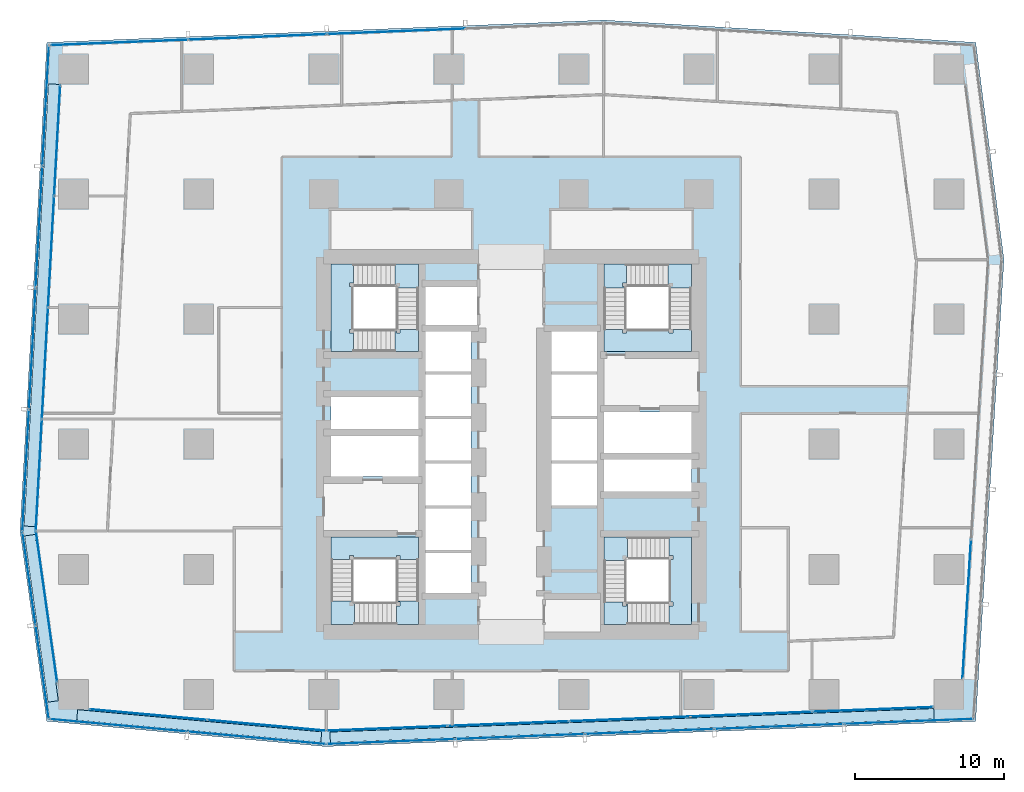
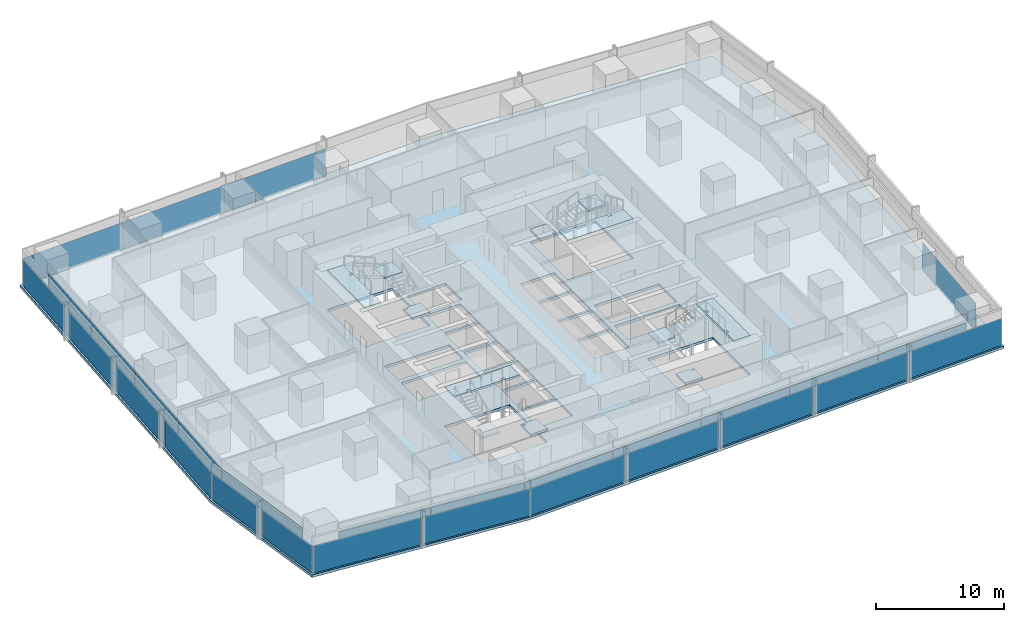
# One storey, part 27 of 39: 33 plates, 13 slabs, 14 elements without a shape of their own.
"""IFC4 building model written with IfcOpenShell, lengths in metres."""

from ifc_helpers import new_model, si_unit, direction, frame, origin, origin_2d, place, context, subcontext, project, spatial, polyline, rectangle, outline, extrude, material, layer, layer_set, type_object, element, aggregate, save


model = new_model("IFC4")

# Units and contexts
model_context = context("Model", 3, precision=1e-05, world=origin(), true_north=direction((0.0, 1.0)))
body_context = subcontext(model_context, "Body", "Model", "MODEL_VIEW")
ifc_project = project(units=[si_unit("LENGTHUNIT", "METRE"), si_unit("AREAUNIT", "SQUARE_METRE"), si_unit("VOLUMEUNIT", "CUBIC_METRE"), si_unit("PLANEANGLEUNIT", "RADIAN"), si_unit("MASSUNIT", "GRAM", prefix="KILO")], contexts=[model_context])

# Site, building, storey
site_placement = place(None, origin())
site = spatial("IfcSite", under=ifc_project, at=site_placement, CompositionType="ELEMENT")
building_placement = place(site_placement, origin())
building = spatial("IfcBuilding", under=site, at=building_placement, Name="Rekha Terrace Tower", CompositionType="ELEMENT")
storey_placement = place(building_placement, frame((0.0, 0.0, 151.550048828125)))
storey = spatial("IfcBuildingStorey", under=building, at=storey_placement, Name="L38", CompositionType="ELEMENT", Elevation=151.550048828125)

# Curtain wall, plates
ifc_material_1 = material(Name="Aluminium framing", Category="aluminium")
curtain_wall_type_1 = type_object("IfcCurtainWallType", Name="CW1 double skin inner glazing", PredefinedType="USERDEFINED", material=ifc_material_1)
curtain_wall_1_placement = place(storey_placement, origin())
curtain_wall_1 = element("IfcCurtainWall", 1, at=curtain_wall_1_placement, inside=storey, type_object=curtain_wall_type_1, Name="CW1 double skin inner glazing", ObjectType="DOUBLE SKIN INNER GLAZING", PredefinedType="USERDEFINED")
ifc_material_2 = material(Name="Double-glazed low-e unit 32", Category="glass")
ifc_layer_1 = layer(ifc_material_2, 0.031982421875)
ifc_layer_set_1 = layer_set([ifc_layer_1], Name="Double-glazed low-e unit 32")
plate_type_1 = type_object("IfcPlateType", Name="CW1 jumbo vision panel, double-glazed low-e unit 32", PredefinedType="CURTAIN_PANEL", material=ifc_layer_set_1)
plate_1_placement = place(storey_placement, frame((13.418701171875, 15.445068359375, 0.0), z_axis=(0.0, 0.0, 1.0), x_axis=(0.995901923142, -0.090439811381, 0.0)))
plate_1 = element("IfcPlate", 2, at=plate_1_placement, type_object=plate_type_1, Name="CW1 panel 1.1", PredefinedType="CURTAIN_PANEL", context=body_context, shape_type="SweptSolid", body=[
    extrude(rectangle(XDim=7.898681640625, YDim=0.031982421875, at=origin_2d()), origin(), (0.0, 0.0, 1.0), 2.60009765625),
])
plate_2_placement = place(storey_placement, frame((21.382080078125, 14.721923828125, 0.0), z_axis=(0.0, 0.0, 1.0), x_axis=(0.995901923142, -0.090439811381, 0.0)))
plate_2 = element("IfcPlate", 3, at=plate_2_placement, type_object=plate_type_1, Name="CW1 panel 2.1", PredefinedType="CURTAIN_PANEL", context=body_context, shape_type="SweptSolid", body=[
    extrude(rectangle(XDim=7.963623046875, YDim=0.031982421875, at=origin_2d()), origin(), (0.0, 0.0, 1.0), 2.60009765625),
])
aggregate(curtain_wall_1, [plate_1, plate_2])

curtain_wall_2_placement = place(storey_placement, origin())
curtain_wall_2 = element("IfcCurtainWall", 4, at=curtain_wall_2_placement, inside=storey, type_object=curtain_wall_type_1, Name="CW1 double skin inner glazing", ObjectType="DOUBLE SKIN INNER GLAZING", PredefinedType="USERDEFINED")
plate_3_placement = place(storey_placement, frame((29.446533203125, 14.521484375, 0.0), z_axis=(0.0, 0.0, 1.0), x_axis=(0.999243498918, 0.038889971328, 0.0)))
plate_3 = element("IfcPlate", 5, at=plate_3_placement, type_object=plate_type_1, Name="CW1 panel 1.1", PredefinedType="CURTAIN_PANEL", context=body_context, shape_type="SweptSolid", body=[
    extrude(rectangle(XDim=8.074462890625, YDim=0.031982421875, at=origin_2d()), origin(), (0.0, 0.0, 1.0), 2.60009765625),
])
plate_4_placement = place(storey_placement, frame((37.59619140625, 14.838623046875, 0.0), z_axis=(0.0, 0.0, 1.0), x_axis=(0.999243498918, 0.038889971328, 0.0)))
plate_4 = element("IfcPlate", 6, at=plate_4_placement, type_object=plate_type_1, Name="CW1 panel 2.1", PredefinedType="CURTAIN_PANEL", context=body_context, shape_type="SweptSolid", body=[
    extrude(rectangle(XDim=8.10693359375, YDim=0.031982421875, at=origin_2d()), origin(), (0.0, 0.0, 1.0), 2.60009765625),
])
plate_5_placement = place(storey_placement, frame((45.761962890625, 15.156494140625, 0.0), z_axis=(0.0, 0.0, 1.0), x_axis=(0.999243498918, 0.038889971328, 0.0)))
plate_5 = element("IfcPlate", 7, at=plate_5_placement, type_object=plate_type_1, Name="CW1 panel 3.1", PredefinedType="CURTAIN_PANEL", context=body_context, shape_type="SweptSolid", body=[
    extrude(rectangle(XDim=8.10693359375, YDim=0.031982421875, at=origin_2d()), origin(), (0.0, 0.0, 1.0), 2.60009765625),
])
plate_6_placement = place(storey_placement, frame((53.927734375, 15.47412109375, 0.0), z_axis=(0.0, 0.0, 1.0), x_axis=(0.999243498918, 0.038889971328, 0.0)))
plate_6 = element("IfcPlate", 8, at=plate_6_placement, type_object=plate_type_1, Name="CW1 panel 4.1", PredefinedType="CURTAIN_PANEL", context=body_context, shape_type="SweptSolid", body=[
    extrude(rectangle(XDim=8.10693359375, YDim=0.031982421875, at=origin_2d()), origin(), (0.0, 0.0, 1.0), 2.60009765625),
])
plate_7_placement = place(storey_placement, frame((62.0771484375, 15.791259765625, 0.0), z_axis=(0.0, 0.0, 1.0), x_axis=(0.999243498918, 0.038889971328, 0.0)))
plate_7 = element("IfcPlate", 9, at=plate_7_placement, type_object=plate_type_1, Name="CW1 panel 5.1", PredefinedType="CURTAIN_PANEL", context=body_context, shape_type="SweptSolid", body=[
    extrude(rectangle(XDim=8.074462890625, YDim=0.031982421875, at=origin_2d()), origin(), (0.0, 0.0, 1.0), 2.60009765625),
])
aggregate(curtain_wall_2, [plate_3, plate_4, plate_5, plate_6, plate_7])

# Curtain wall, plate
curtain_wall_3_placement = place(storey_placement, origin())
curtain_wall_3 = element("IfcCurtainWall", 10, at=curtain_wall_3_placement, inside=storey, type_object=curtain_wall_type_1, Name="CW1 double skin inner glazing", ObjectType="DOUBLE SKIN INNER GLAZING", PredefinedType="USERDEFINED")
plate_8_placement = place(storey_placement, frame((68.399658203125, 22.53271484375, 0.0), z_axis=(0.0, 0.0, 1.0), x_axis=(0.061159803131, 0.998127987024, 0.0)))
plate_8 = element("IfcPlate", 11, at=plate_8_placement, type_object=plate_type_1, Name="CW1 panel 1.1", PredefinedType="CURTAIN_PANEL", context=body_context, shape_type="SweptSolid", body=[
    extrude(rectangle(XDim=9.30224609375, YDim=0.031982421875, at=origin_2d()), origin(), (0.0, 0.0, 1.0), 2.60009765625),
])
aggregate(curtain_wall_3, [plate_8])

# Curtain wall, plates
curtain_wall_4_placement = place(storey_placement, origin())
curtain_wall_4 = element("IfcCurtainWall", 12, at=curtain_wall_4_placement, inside=storey, type_object=curtain_wall_type_1, Name="CW1 double skin inner glazing", ObjectType="DOUBLE SKIN INNER GLAZING", PredefinedType="USERDEFINED")
plate_9_placement = place(storey_placement, frame((7.300537109375, 54.013427734375, 0.0), z_axis=(0.0, 0.0, 1.0), x_axis=(-0.054742352707, -0.99850051318, 0.0)))
plate_9 = element("IfcPlate", 13, at=plate_9_placement, type_object=plate_type_1, Name="CW1 panel 1.1", PredefinedType="CURTAIN_PANEL", context=body_context, shape_type="SweptSolid", body=[
    extrude(rectangle(XDim=7.404052734375, YDim=0.031982421875, at=origin_2d()), origin(), (0.0, 0.0, 1.0), 2.60009765625),
])
plate_10_placement = place(storey_placement, frame((6.890625, 46.539306640625, 0.0), z_axis=(0.0, 0.0, 1.0), x_axis=(-0.054742352707, -0.99850051318, 0.0)))
plate_10 = element("IfcPlate", 14, at=plate_10_placement, type_object=plate_type_1, Name="CW1 panel 2.1", PredefinedType="CURTAIN_PANEL", context=body_context, shape_type="SweptSolid", body=[
    extrude(rectangle(XDim=7.4365234375, YDim=0.031982421875, at=origin_2d()), origin(), (0.0, 0.0, 1.0), 2.60009765625),
])
plate_11_placement = place(storey_placement, frame((6.47998046875, 39.048828125, 0.0), z_axis=(0.0, 0.0, 1.0), x_axis=(-0.054742352707, -0.99850051318, 0.0)))
plate_11 = element("IfcPlate", 15, at=plate_11_placement, type_object=plate_type_1, Name="CW1 panel 3.1", PredefinedType="CURTAIN_PANEL", context=body_context, shape_type="SweptSolid", body=[
    extrude(rectangle(XDim=7.4365234375, YDim=0.031982421875, at=origin_2d()), origin(), (0.0, 0.0, 1.0), 2.60009765625),
])
plate_12_placement = place(storey_placement, frame((6.068603515625, 31.542236328125, 0.0), z_axis=(0.0, 0.0, 1.0), x_axis=(-0.054742352707, -0.99850051318, 0.0)))
plate_12 = element("IfcPlate", 16, at=plate_12_placement, type_object=plate_type_1, Name="CW1 panel 4.1", PredefinedType="CURTAIN_PANEL", context=body_context, shape_type="SweptSolid", body=[
    extrude(rectangle(XDim=7.468994140625, YDim=0.031982421875, at=origin_2d()), origin(), (0.0, 0.0, 1.0), 2.60009765625),
])
aggregate(curtain_wall_4, [plate_9, plate_10, plate_11, plate_12])

# Curtain wall, plate
curtain_wall_5_placement = place(storey_placement, origin())
curtain_wall_5 = element("IfcCurtainWall", 17, at=curtain_wall_5_placement, inside=storey, type_object=curtain_wall_type_1, Name="CW1 double skin inner glazing", ObjectType="DOUBLE SKIN INNER GLAZING", PredefinedType="USERDEFINED")
plate_13_placement = place(storey_placement, frame((6.58349609375, 22.70947265625, 0.0), z_axis=(0.0, 0.0, 1.0), x_axis=(0.139597048082, -0.990208394312, 0.0)))
plate_13 = element("IfcPlate", 18, at=plate_13_placement, type_object=plate_type_1, Name="CW1 panel 1.1", PredefinedType="CURTAIN_PANEL", context=body_context, shape_type="SweptSolid", body=[
    extrude(rectangle(XDim=10.1787109375, YDim=0.031982421875, at=origin_2d()), origin(), (0.0, 0.0, 1.0), 2.60009765625),
])
aggregate(curtain_wall_5, [plate_13])

# Curtain wall, plates
curtain_wall_type_2 = type_object("IfcCurtainWallType", Name="CW2 double skin outer glazing", PredefinedType="USERDEFINED", material=ifc_material_1)
curtain_wall_6_placement = place(storey_placement, origin())
curtain_wall_6 = element("IfcCurtainWall", 19, at=curtain_wall_6_placement, inside=storey, type_object=curtain_wall_type_2, Name="CW2 double skin outer glazing", ObjectType="DOUBLE SKIN OUTER GLAZING", PredefinedType="USERDEFINED")
ifc_material_3 = material(Name="Toughened single glazing 12", Category="glass")
ifc_layer_2 = layer(ifc_material_3, 0.011962890625)
ifc_layer_set_2 = layer_set([ifc_layer_2], Name="Toughened single glazing 12")
plate_type_2 = type_object("IfcPlateType", Name="CW2 jumbo vision panel, toughened single glazing 12", PredefinedType="CURTAIN_PANEL", material=ifc_layer_set_2)
plate_14_placement = place(storey_placement, frame((11.406494140625, 14.72412109375, 0.0), z_axis=(0.0, 0.0, 1.0), x_axis=(0.995901923137, -0.090439811433, 0.0)))
plate_14 = element("IfcPlate", 20, at=plate_14_placement, type_object=plate_type_2, Name="CW2 panel 1.1", PredefinedType="CURTAIN_PANEL", context=body_context, shape_type="SweptSolid", body=[
    extrude(rectangle(XDim=9.2099609375, YDim=0.011962890625, at=origin_2d()), origin(), (0.0, 0.0, 1.0), 2.60009765625),
])
plate_15_placement = place(storey_placement, frame((20.6982421875, 13.88037109375, 0.0), z_axis=(0.0, 0.0, 1.0), x_axis=(0.995901923137, -0.090439811433, 0.0)))
plate_15 = element("IfcPlate", 21, at=plate_15_placement, type_object=plate_type_2, Name="CW2 panel 2.1", PredefinedType="CURTAIN_PANEL", context=body_context, shape_type="SweptSolid", body=[
    extrude(rectangle(XDim=9.2900390625, YDim=0.011962890625, at=origin_2d()), origin(), (0.0, 0.0, 1.0), 2.60009765625),
])
aggregate(curtain_wall_6, [plate_14, plate_15])

curtain_wall_7_placement = place(storey_placement, origin())
curtain_wall_7 = element("IfcCurtainWall", 22, at=curtain_wall_7_placement, inside=storey, type_object=curtain_wall_type_2, Name="CW2 double skin outer glazing", ObjectType="DOUBLE SKIN OUTER GLAZING", PredefinedType="USERDEFINED")
plate_16_placement = place(storey_placement, frame((29.696533203125, 13.63037109375, 0.0), z_axis=(0.0, 0.0, 1.0), x_axis=(0.999243498917, 0.038889971345, 0.0)))
plate_16 = element("IfcPlate", 23, at=plate_16_placement, type_object=plate_type_2, Name="CW2 panel 1.1", PredefinedType="CURTAIN_PANEL", context=body_context, shape_type="SweptSolid", body=[
    extrude(rectangle(XDim=8.591552734375, YDim=0.011962890625, at=origin_2d()), origin(), (0.0, 0.0, 1.0), 2.60009765625),
])
plate_17_placement = place(storey_placement, frame((38.381591796875, 13.968505859375, 0.0), z_axis=(0.0, 0.0, 1.0), x_axis=(0.999243498917, 0.038889971345, 0.0)))
plate_17 = element("IfcPlate", 24, at=plate_17_placement, type_object=plate_type_2, Name="CW2 panel 2.1", PredefinedType="CURTAIN_PANEL", context=body_context, shape_type="SweptSolid", body=[
    extrude(rectangle(XDim=8.631591796875, YDim=0.011962890625, at=origin_2d()), origin(), (0.0, 0.0, 1.0), 2.60009765625),
])
plate_18_placement = place(storey_placement, frame((47.086669921875, 14.307373046875, 0.0), z_axis=(0.0, 0.0, 1.0), x_axis=(0.999243498917, 0.038889971345, 0.0)))
plate_18 = element("IfcPlate", 25, at=plate_18_placement, type_object=plate_type_2, Name="CW2 panel 3.1", PredefinedType="CURTAIN_PANEL", context=body_context, shape_type="SweptSolid", body=[
    extrude(rectangle(XDim=8.631591796875, YDim=0.011962890625, at=origin_2d()), origin(), (0.0, 0.0, 1.0), 2.60009765625),
])
plate_19_placement = place(storey_placement, frame((55.791748046875, 14.64599609375, 0.0), z_axis=(0.0, 0.0, 1.0), x_axis=(0.999243498917, 0.038889971345, 0.0)))
plate_19 = element("IfcPlate", 26, at=plate_19_placement, type_object=plate_type_2, Name="CW2 panel 4.1", PredefinedType="CURTAIN_PANEL", context=body_context, shape_type="SweptSolid", body=[
    extrude(rectangle(XDim=8.631591796875, YDim=0.011962890625, at=origin_2d()), origin(), (0.0, 0.0, 1.0), 2.60009765625),
])
plate_20_placement = place(storey_placement, frame((64.5166015625, 14.985595703125, 0.0), z_axis=(0.0, 0.0, 1.0), x_axis=(0.999243498917, 0.038889971345, 0.0)))
plate_20 = element("IfcPlate", 27, at=plate_20_placement, type_object=plate_type_2, Name="CW2 panel 5.1", PredefinedType="CURTAIN_PANEL", context=body_context, shape_type="SweptSolid", body=[
    extrude(rectangle(XDim=8.671630859375, YDim=0.011962890625, at=origin_2d()), origin(), (0.0, 0.0, 1.0), 2.60009765625),
])
aggregate(curtain_wall_7, [plate_16, plate_17, plate_18, plate_19, plate_20])

curtain_wall_8_placement = place(storey_placement, origin())
curtain_wall_8 = element("IfcCurtainWall", 28, at=curtain_wall_8_placement, inside=storey, type_object=curtain_wall_type_2, Name="CW2 double skin outer glazing", ObjectType="DOUBLE SKIN OUTER GLAZING", PredefinedType="USERDEFINED")
plate_21_placement = place(storey_placement, frame((6.52685546875, 56.342041015625, 0.0), z_axis=(0.0, 0.0, 1.0), x_axis=(-0.054742352707, -0.99850051318, 0.0)))
plate_21 = element("IfcPlate", 29, at=plate_21_placement, type_object=plate_type_2, Name="CW2 panel 1.1", PredefinedType="CURTAIN_PANEL", context=body_context, shape_type="SweptSolid", body=[
    extrude(rectangle(XDim=8.06005859375, YDim=0.011962890625, at=origin_2d()), origin(), (0.0, 0.0, 1.0), 2.60009765625),
])
plate_22_placement = place(storey_placement, frame((6.080078125, 48.1943359375, 0.0), z_axis=(0.0, 0.0, 1.0), x_axis=(-0.054742352707, -0.99850051318, 0.0)))
plate_22 = element("IfcPlate", 30, at=plate_22_placement, type_object=plate_type_2, Name="CW2 panel 2.1", PredefinedType="CURTAIN_PANEL", context=body_context, shape_type="SweptSolid", body=[
    extrude(rectangle(XDim=8.10009765625, YDim=0.011962890625, at=origin_2d()), origin(), (0.0, 0.0, 1.0), 2.60009765625),
])
plate_23_placement = place(storey_placement, frame((5.63232421875, 40.026611328125, 0.0), z_axis=(0.0, 0.0, 1.0), x_axis=(-0.054742352707, -0.99850051318, 0.0)))
plate_23 = element("IfcPlate", 31, at=plate_23_placement, type_object=plate_type_2, Name="CW2 panel 3.1", PredefinedType="CURTAIN_PANEL", context=body_context, shape_type="SweptSolid", body=[
    extrude(rectangle(XDim=8.10009765625, YDim=0.011962890625, at=origin_2d()), origin(), (0.0, 0.0, 1.0), 2.60009765625),
])
plate_24_placement = place(storey_placement, frame((5.183349609375, 31.8388671875, 0.0), z_axis=(0.0, 0.0, 1.0), x_axis=(-0.054742352707, -0.99850051318, 0.0)))
plate_24 = element("IfcPlate", 32, at=plate_24_placement, type_object=plate_type_2, Name="CW2 panel 4.1", PredefinedType="CURTAIN_PANEL", context=body_context, shape_type="SweptSolid", body=[
    extrude(rectangle(XDim=8.14013671875, YDim=0.011962890625, at=origin_2d()), origin(), (0.0, 0.0, 1.0), 2.60009765625),
])
aggregate(curtain_wall_8, [plate_21, plate_22, plate_23, plate_24])

curtain_wall_9_placement = place(storey_placement, origin())
curtain_wall_9 = element("IfcCurtainWall", 33, at=curtain_wall_9_placement, inside=storey, type_object=curtain_wall_type_2, Name="CW2 double skin outer glazing", ObjectType="DOUBLE SKIN OUTER GLAZING", PredefinedType="USERDEFINED")
plate_25_placement = place(storey_placement, frame((5.408447265625, 24.598388671875, 0.0), z_axis=(0.0, 0.0, 1.0), x_axis=(0.139597048082, -0.990208394312, 0.0)))
plate_25 = element("IfcPlate", 34, at=plate_25_placement, type_object=plate_type_2, Name="CW2 panel 1.1", PredefinedType="CURTAIN_PANEL", context=body_context, shape_type="SweptSolid", body=[
    extrude(rectangle(XDim=6.255859375, YDim=0.011962890625, at=origin_2d()), origin(), (0.0, 0.0, 1.0), 2.60009765625),
])
plate_26_placement = place(storey_placement, frame((6.298583984375, 18.284912109375, 0.0), z_axis=(0.0, 0.0, 1.0), x_axis=(0.139597048082, -0.990208394312, 0.0)))
plate_26 = element("IfcPlate", 35, at=plate_26_placement, type_object=plate_type_2, Name="CW2 panel 2.1", PredefinedType="CURTAIN_PANEL", context=body_context, shape_type="SweptSolid", body=[
    extrude(rectangle(XDim=6.3359375, YDim=0.011962890625, at=origin_2d()), origin(), (0.0, 0.0, 1.0), 2.60009765625),
])
aggregate(curtain_wall_9, [plate_25, plate_26])

curtain_wall_type_3 = type_object("IfcCurtainWallType", Name="CW3 north unitised glazing", PredefinedType="USERDEFINED", material=ifc_material_1)
curtain_wall_10_placement = place(storey_placement, origin())
curtain_wall_10 = element("IfcCurtainWall", 36, at=curtain_wall_10_placement, inside=storey, type_object=curtain_wall_type_3, Name="CW3 unitised curtain wall", ObjectType="UNITISED CURTAIN WALL", PredefinedType="USERDEFINED")
ifc_material_4 = material(Name="Double-glazed unit 28", Category="glass")
ifc_layer_3 = layer(ifc_material_4, 0.028076171875)
ifc_layer_set_3 = layer_set([ifc_layer_3], Name="Double-glazed unit 28")
plate_type_3 = type_object("IfcPlateType", Name="CW3 jumbo vision panel, double-glazed unit 28", PredefinedType="CURTAIN_PANEL", material=ifc_layer_set_3)
plate_27_placement = place(storey_placement, frame((30.06982421875, 61.340087890625, 0.0), z_axis=(0.0, 0.0, 1.0), x_axis=(-0.999198398721, -0.040031987119, 0.0)))
plate_27 = element("IfcPlate", 37, at=plate_27_placement, type_object=plate_type_3, Name="CW3 panel 2.1", PredefinedType="CURTAIN_PANEL", context=body_context, shape_type="SweptSolid", body=[
    extrude(rectangle(XDim=9.24951171875, YDim=0.028076171875, at=origin_2d()), origin(), (0.0, 0.0, 1.0), 2.60009765625),
])
plate_28_placement = place(storey_placement, frame((20.7578125, 60.967041015625, 0.0), z_axis=(0.0, 0.0, 1.0), x_axis=(-0.999198398721, -0.040031987119, 0.0)))
plate_28 = element("IfcPlate", 38, at=plate_28_placement, type_object=plate_type_3, Name="CW3 panel 3.1", PredefinedType="CURTAIN_PANEL", context=body_context, shape_type="SweptSolid", body=[
    extrude(rectangle(XDim=9.24951171875, YDim=0.028076171875, at=origin_2d()), origin(), (0.0, 0.0, 1.0), 2.60009765625),
])
plate_29_placement = place(storey_placement, frame((11.46337890625, 60.5947265625, 0.0), z_axis=(0.0, 0.0, 1.0), x_axis=(-0.999198398721, -0.040031987119, 0.0)))
plate_29 = element("IfcPlate", 39, at=plate_29_placement, type_object=plate_type_3, Name="CW3 panel 4.1", PredefinedType="CURTAIN_PANEL", context=body_context, shape_type="SweptSolid", body=[
    extrude(rectangle(XDim=9.214599609375, YDim=0.028076171875, at=origin_2d()), origin(), (0.0, 0.0, 1.0), 2.60009765625),
])
aggregate(curtain_wall_10, [plate_27, plate_28, plate_29])

# Plates
ifc_material_5 = material(Name="Galvanised steel open grating", Category="steel")
ifc_layer_4 = layer(ifc_material_5, 0.050048828125)
ifc_layer_set_4 = layer_set([ifc_layer_4], Name="Galvanised steel open grating")
plate_type_4 = type_object("IfcPlateType", Name="GT1 cavity walkway grating 50", PredefinedType="USERDEFINED", material=ifc_layer_set_4)
plate_30_placement = place(storey_placement, frame((16.838623046875, 14.6826171875, 0.0), z_axis=(0.0, 0.0, 1.0), x_axis=(0.99590192314, -0.090439811399, 0.0)))
element("IfcPlate", 40, at=plate_30_placement, inside=storey, type_object=plate_type_4, Name="Cavity walkway grating", ObjectType="CAVITY WALKWAY GRATING", PredefinedType="USERDEFINED", context=body_context, shape_type="SweptSolid", body=[
    extrude(rectangle(XDim=16.464111328125, YDim=0.705078125, at=origin_2d()), origin(), (0.0, 0.0, 1.0), 0.050048828125),
])
plate_31_placement = place(storey_placement, frame((45.91357421875, 14.7119140625, 0.0), z_axis=(0.0, 0.0, 1.0), x_axis=(0.999243498917, 0.038889971345, 0.0)))
element("IfcPlate", 41, at=plate_31_placement, inside=storey, type_object=plate_type_4, Name="Cavity walkway grating", ObjectType="CAVITY WALKWAY GRATING", PredefinedType="USERDEFINED", context=body_context, shape_type="SweptSolid", body=[
    extrude(rectangle(XDim=40.586669921875, YDim=0.705078125, at=origin_2d()), origin(), (0.0, 0.0, 1.0), 0.050048828125),
])
plate_32_placement = place(storey_placement, frame((6.2431640625, 42.9462890625, 0.0), z_axis=(0.0, 0.0, 1.0), x_axis=(-0.05474235269, -0.998500513181, 0.0)))
element("IfcPlate", 42, at=plate_32_placement, inside=storey, type_object=plate_type_4, Name="Cavity walkway grating", ObjectType="CAVITY WALKWAY GRATING", PredefinedType="USERDEFINED", context=body_context, shape_type="SweptSolid", body=[
    extrude(rectangle(XDim=29.749755859375, YDim=0.705078125, at=origin_2d()), origin(), (0.0, 0.0, 1.0), 0.050048828125),
])
plate_33_placement = place(storey_placement, frame((6.2412109375, 21.9140625, 0.0), z_axis=(0.0, 0.0, 1.0), x_axis=(0.139597048064, -0.990208394315, 0.0)))
element("IfcPlate", 43, at=plate_33_placement, inside=storey, type_object=plate_type_4, Name="Cavity walkway grating", ObjectType="CAVITY WALKWAY GRATING", PredefinedType="USERDEFINED", context=body_context, shape_type="SweptSolid", body=[
    extrude(rectangle(XDim=11.276123046875, YDim=0.705078125, at=origin_2d()), origin(), (0.0, 0.0, 1.0), 0.050048828125),
])

# Stair, slabs
ifc_material_6 = material(Name="Concrete M40", Category="concrete")
stair_type = type_object("IfcStairType", Name="ST30 stair, 30 risers of 125, going 310, 1500 wide flights, 3 flights", PredefinedType="HALF_TURN_STAIR", material=ifc_material_6)
stair_1_placement = place(storey_placement, origin())
stair_1 = element("IfcStair", 44, at=stair_1_placement, inside=storey, type_object=stair_type, Name="Stair ST1 L38 to L39", PredefinedType="HALF_TURN_STAIR")
ifc_layer_5 = layer(ifc_material_6, 0.199951171875)
ifc_layer_set_5 = layer_set([ifc_layer_5], Name="Concrete M40")
slab_type_1 = type_object("IfcSlabType", Name="LD1 200 concrete stair landing", PredefinedType="LANDING", material=ifc_layer_set_5)
slab_1_placement = place(storey_placement, frame((0.0, 0.0, 1.050048828125)))
slab_1 = element("IfcSlab", 45, at=slab_1_placement, type_object=slab_type_1, Name="ST1 landing 1", PredefinedType="LANDING", context=body_context, shape_type="SweptSolid", body=[
    extrude(outline(polyline([(30.074951171875, 21.5), (31.574951171875, 21.5), (31.574951171875, 23.0849609375), (30.074951171875, 23.0849609375), (30.074951171875, 23.0), (30.324951171875, 23.0), (30.324951171875, 22.75), (30.074951171875, 22.75), (30.074951171875, 21.5)])), origin(), (0.0, 0.0, 1.0), 0.199951171875),
])
slab_2_placement = place(storey_placement, frame((0.0, 0.0, 2.300048828125)))
slab_2 = element("IfcSlab", 46, at=slab_2_placement, type_object=slab_type_1, Name="ST1 landing 2", PredefinedType="LANDING", context=body_context, shape_type="SweptSolid", body=[
    extrude(outline(polyline([(27.199951171875, 23.0849609375), (25.699951171875, 23.0849609375), (25.699951171875, 21.5), (27.284912109375, 21.5), (27.284912109375, 23.0), (27.199951171875, 23.0), (27.199951171875, 23.0849609375)])), origin(), (0.0, 0.0, 1.0), 0.199951171875),
])
slab_3_placement = place(storey_placement, frame((0.0, 0.0, 3.550048828125)))
slab_3 = element("IfcSlab", 47, at=slab_3_placement, type_object=slab_type_1, Name="ST1 landing 3", PredefinedType="LANDING", context=body_context, shape_type="SweptSolid", body=[
    extrude(outline(polyline([(31.574951171875, 25.875), (31.574951171875, 27.375), (25.699951171875, 27.375), (25.699951171875, 25.875), (26.949951171875, 25.875), (26.949951171875, 26.125), (27.199951171875, 26.125), (27.199951171875, 25.875), (30.074951171875, 25.875), (30.074951171875, 26.125), (30.324951171875, 26.125), (30.324951171875, 25.875), (31.574951171875, 25.875)])), origin(), (0.0, 0.0, 1.0), 0.199951171875),
])
aggregate(stair_1, [slab_1, slab_2, slab_3])

stair_2_placement = place(storey_placement, origin())
stair_2 = element("IfcStair", 48, at=stair_2_placement, inside=storey, type_object=stair_type, Name="Stair ST2 L38 to L39", PredefinedType="HALF_TURN_STAIR")
slab_4_placement = place(storey_placement, frame((0.0, 0.0, 1.050048828125)))
slab_4 = element("IfcSlab", 49, at=slab_4_placement, type_object=slab_type_1, Name="ST2 landing 1", PredefinedType="LANDING", context=body_context, shape_type="SweptSolid", body=[
    extrude(outline(polyline([(45.52490234375, 45.699951171875), (44.02490234375, 45.699951171875), (44.02490234375, 44.114990234375), (45.52490234375, 44.114990234375), (45.52490234375, 44.199951171875), (45.27490234375, 44.199951171875), (45.27490234375, 44.449951171875), (45.52490234375, 44.449951171875), (45.52490234375, 45.699951171875)])), origin(), (0.0, 0.0, 1.0), 0.199951171875),
])
slab_5_placement = place(storey_placement, frame((0.0, 0.0, 2.300048828125)))
slab_5 = element("IfcSlab", 50, at=slab_5_placement, type_object=slab_type_1, Name="ST2 landing 2", PredefinedType="LANDING", context=body_context, shape_type="SweptSolid", body=[
    extrude(outline(polyline([(48.39990234375, 44.114990234375), (49.89990234375, 44.114990234375), (49.89990234375, 45.699951171875), (48.31494140625, 45.699951171875), (48.31494140625, 44.199951171875), (48.39990234375, 44.199951171875), (48.39990234375, 44.114990234375)])), origin(), (0.0, 0.0, 1.0), 0.199951171875),
])
slab_6_placement = place(storey_placement, frame((0.0, 0.0, 3.550048828125)))
slab_6 = element("IfcSlab", 51, at=slab_6_placement, type_object=slab_type_1, Name="ST2 landing 3", PredefinedType="LANDING", context=body_context, shape_type="SweptSolid", body=[
    extrude(outline(polyline([(44.02490234375, 41.324951171875), (44.02490234375, 39.824951171875), (49.89990234375, 39.824951171875), (49.89990234375, 41.324951171875), (48.64990234375, 41.324951171875), (48.64990234375, 41.074951171875), (48.39990234375, 41.074951171875), (48.39990234375, 41.324951171875), (45.52490234375, 41.324951171875), (45.52490234375, 41.074951171875), (45.27490234375, 41.074951171875), (45.27490234375, 41.324951171875), (44.02490234375, 41.324951171875)])), origin(), (0.0, 0.0, 1.0), 0.199951171875),
])
aggregate(stair_2, [slab_4, slab_5, slab_6])

stair_3_placement = place(storey_placement, origin())
stair_3 = element("IfcStair", 52, at=stair_3_placement, inside=storey, type_object=stair_type, Name="Stair ST3 L38 to L39", PredefinedType="HALF_TURN_STAIR")
slab_7_placement = place(storey_placement, frame((0.0, 0.0, 1.050048828125)))
slab_7 = element("IfcSlab", 53, at=slab_7_placement, type_object=slab_type_1, Name="ST3 landing 1", PredefinedType="LANDING", context=body_context, shape_type="SweptSolid", body=[
    extrude(outline(polyline([(44.02490234375, 23.0), (44.02490234375, 21.5), (45.610107421875, 21.5), (45.610107421875, 23.0), (45.52490234375, 23.0), (45.52490234375, 22.75), (45.27490234375, 22.75), (45.27490234375, 23.0), (44.02490234375, 23.0)])), origin(), (0.0, 0.0, 1.0), 0.199951171875),
])
slab_8_placement = place(storey_placement, frame((0.0, 0.0, 2.300048828125)))
slab_8 = element("IfcSlab", 54, at=slab_8_placement, type_object=slab_type_1, Name="ST3 landing 2", PredefinedType="LANDING", context=body_context, shape_type="SweptSolid", body=[
    extrude(outline(polyline([(45.610107421875, 25.875), (45.610107421875, 27.375), (44.02490234375, 27.375), (44.02490234375, 25.7900390625), (45.52490234375, 25.7900390625), (45.52490234375, 25.875), (45.610107421875, 25.875)])), origin(), (0.0, 0.0, 1.0), 0.199951171875),
])
slab_9_placement = place(storey_placement, frame((0.0, 0.0, 3.550048828125)))
slab_9 = element("IfcSlab", 55, at=slab_9_placement, type_object=slab_type_1, Name="ST3 landing 3", PredefinedType="LANDING", context=body_context, shape_type="SweptSolid", body=[
    extrude(outline(polyline([(48.39990234375, 21.5), (49.89990234375, 21.5), (49.89990234375, 27.375), (48.39990234375, 27.375), (48.39990234375, 26.125), (48.64990234375, 26.125), (48.64990234375, 25.875), (48.39990234375, 25.875), (48.39990234375, 23.0), (48.64990234375, 23.0), (48.64990234375, 22.75), (48.39990234375, 22.75), (48.39990234375, 21.5)])), origin(), (0.0, 0.0, 1.0), 0.199951171875),
])
aggregate(stair_3, [slab_7, slab_8, slab_9])

stair_4_placement = place(storey_placement, origin())
stair_4 = element("IfcStair", 56, at=stair_4_placement, inside=storey, type_object=stair_type, Name="Stair ST4 L38 to L39", PredefinedType="HALF_TURN_STAIR")
slab_10_placement = place(storey_placement, frame((0.0, 0.0, 1.050048828125)))
slab_10 = element("IfcSlab", 57, at=slab_10_placement, type_object=slab_type_1, Name="ST4 landing 1", PredefinedType="LANDING", context=body_context, shape_type="SweptSolid", body=[
    extrude(outline(polyline([(31.574951171875, 41.324951171875), (31.574951171875, 39.824951171875), (29.989990234375, 39.824951171875), (29.989990234375, 41.324951171875), (30.074951171875, 41.324951171875), (30.074951171875, 41.074951171875), (30.324951171875, 41.074951171875), (30.324951171875, 41.324951171875), (31.574951171875, 41.324951171875)])), origin(), (0.0, 0.0, 1.0), 0.199951171875),
])
slab_11_placement = place(storey_placement, frame((0.0, 0.0, 2.300048828125)))
slab_11 = element("IfcSlab", 58, at=slab_11_placement, type_object=slab_type_1, Name="ST4 landing 2", PredefinedType="LANDING", context=body_context, shape_type="SweptSolid", body=[
    extrude(outline(polyline([(29.989990234375, 44.199951171875), (29.989990234375, 45.699951171875), (31.574951171875, 45.699951171875), (31.574951171875, 44.114990234375), (30.074951171875, 44.114990234375), (30.074951171875, 44.199951171875), (29.989990234375, 44.199951171875)])), origin(), (0.0, 0.0, 1.0), 0.199951171875),
])
slab_12_placement = place(storey_placement, frame((0.0, 0.0, 3.550048828125)))
slab_12 = element("IfcSlab", 59, at=slab_12_placement, type_object=slab_type_1, Name="ST4 landing 3", PredefinedType="LANDING", context=body_context, shape_type="SweptSolid", body=[
    extrude(outline(polyline([(27.199951171875, 39.824951171875), (25.699951171875, 39.824951171875), (25.699951171875, 45.699951171875), (27.199951171875, 45.699951171875), (27.199951171875, 44.449951171875), (26.949951171875, 44.449951171875), (26.949951171875, 44.199951171875), (27.199951171875, 44.199951171875), (27.199951171875, 41.324951171875), (26.949951171875, 41.324951171875), (26.949951171875, 41.074951171875), (27.199951171875, 41.074951171875), (27.199951171875, 39.824951171875)])), origin(), (0.0, 0.0, 1.0), 0.199951171875),
])
aggregate(stair_4, [slab_10, slab_11, slab_12])

# Slab
ifc_material_7 = material(Name="Concrete M50", Category="concrete")
ifc_layer_6 = layer(ifc_material_7, 0.25)
ifc_layer_set_6 = layer_set([ifc_layer_6], Name="Concrete M50")
slab_type_2 = type_object("IfcSlabType", Name="SL4 250 post-tensioned flat plate", PredefinedType="FLOOR", material=ifc_layer_set_6)
slab_13_placement = place(storey_placement, frame((0.0, 0.0, -0.25)))
element("IfcSlab", 60, at=slab_13_placement, inside=storey, type_object=slab_type_2, Name="Post-tensioned flat plate L38", PredefinedType="FLOOR", context=body_context, shape_type="SweptSolid", body=[
    extrude(outline(polyline([(4.800048828125, 27.76806640625), (6.60009765625, 15.0), (25.320068359375, 13.300048828125), (69.0, 15.0), (70.89990234375, 46.008056640625), (69.0, 60.60009765625), (44.0400390625, 62.10009765625), (6.60009765625, 60.60009765625), (4.800048828125, 27.76806640625)]), holes=[polyline([(31.574951171875, 27.375), (31.574951171875, 21.5), (25.699951171875, 21.5), (25.699951171875, 27.375), (31.574951171875, 27.375)]), polyline([(35.10009765625, 26.300048828125), (35.10009765625, 23.625), (32.02490234375, 23.625), (32.02490234375, 26.300048828125), (35.10009765625, 26.300048828125)]), polyline([(35.10009765625, 29.300048828125), (35.10009765625, 26.5), (32.02490234375, 26.5), (32.02490234375, 29.300048828125), (35.10009765625, 29.300048828125)]), polyline([(35.10009765625, 32.300048828125), (35.10009765625, 29.5), (32.02490234375, 29.5), (32.02490234375, 32.300048828125), (35.10009765625, 32.300048828125)]), polyline([(31.574951171875, 34.175048828125), (31.574951171875, 31.425048828125), (25.699951171875, 31.425048828125), (25.699951171875, 34.175048828125), (31.574951171875, 34.175048828125)]), polyline([(35.10009765625, 35.300048828125), (35.10009765625, 32.5), (32.02490234375, 32.5), (32.02490234375, 35.300048828125), (35.10009765625, 35.300048828125)]), polyline([(31.574951171875, 36.77490234375), (31.574951171875, 34.625), (25.699951171875, 34.625), (25.699951171875, 36.77490234375), (31.574951171875, 36.77490234375)]), polyline([(35.10009765625, 35.5), (32.02490234375, 35.5), (32.02490234375, 38.300048828125), (35.10009765625, 38.300048828125), (35.10009765625, 35.5)]), polyline([(35.10009765625, 38.5), (32.02490234375, 38.5), (32.02490234375, 41.175048828125), (35.10009765625, 41.175048828125), (35.10009765625, 38.5)]), polyline([(31.574951171875, 45.699951171875), (31.574951171875, 39.824951171875), (25.699951171875, 39.824951171875), (25.699951171875, 45.699951171875), (31.574951171875, 45.699951171875)]), polyline([(49.89990234375, 27.375), (49.89990234375, 21.5), (44.02490234375, 21.5), (44.02490234375, 27.375), (49.89990234375, 27.375)]), polyline([(43.574951171875, 32.300048828125), (43.574951171875, 29.5), (40.5, 29.5), (40.5, 32.300048828125), (43.574951171875, 32.300048828125)]), polyline([(49.89990234375, 30.425048828125), (44.02490234375, 30.425048828125), (44.02490234375, 32.574951171875), (49.89990234375, 32.574951171875), (49.89990234375, 30.425048828125)]), polyline([(43.574951171875, 32.5), (40.5, 32.5), (40.5, 35.300048828125), (43.574951171875, 35.300048828125), (43.574951171875, 32.5)]), polyline([(49.89990234375, 35.77490234375), (49.89990234375, 33.02490234375), (44.02490234375, 33.02490234375), (44.02490234375, 35.77490234375), (49.89990234375, 35.77490234375)]), polyline([(43.574951171875, 38.300048828125), (43.574951171875, 35.5), (40.5, 35.5), (40.5, 38.300048828125), (43.574951171875, 38.300048828125)]), polyline([(43.574951171875, 41.175048828125), (43.574951171875, 38.5), (40.5, 38.5), (40.5, 41.175048828125), (43.574951171875, 41.175048828125)]), polyline([(49.89990234375, 39.824951171875), (44.02490234375, 39.824951171875), (44.02490234375, 45.699951171875), (49.89990234375, 45.699951171875), (49.89990234375, 39.824951171875)]), polyline([(35.5, 41.625), (32.02490234375, 41.625), (32.02490234375, 44.175048828125), (35.5, 44.175048828125), (35.5, 41.625)])]), origin(), (0.0, 0.0, 1.0), 0.25),
])

save(model, "model.ifc")
